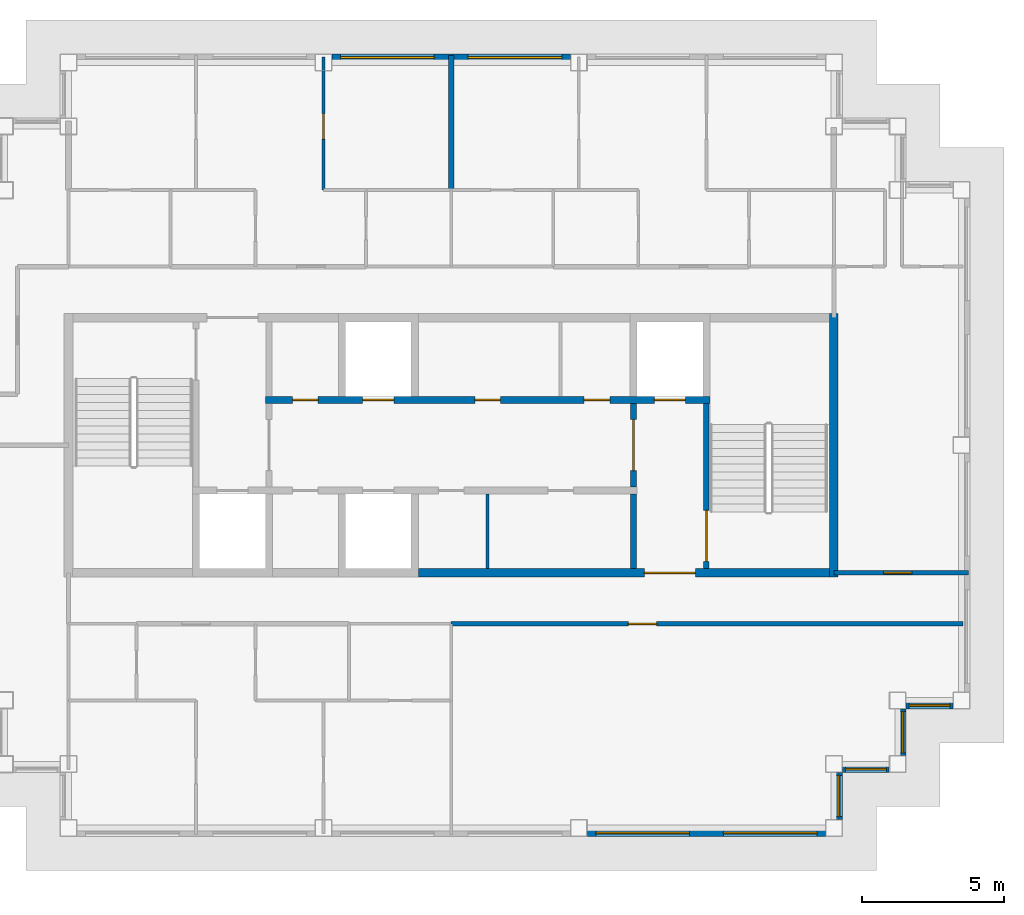
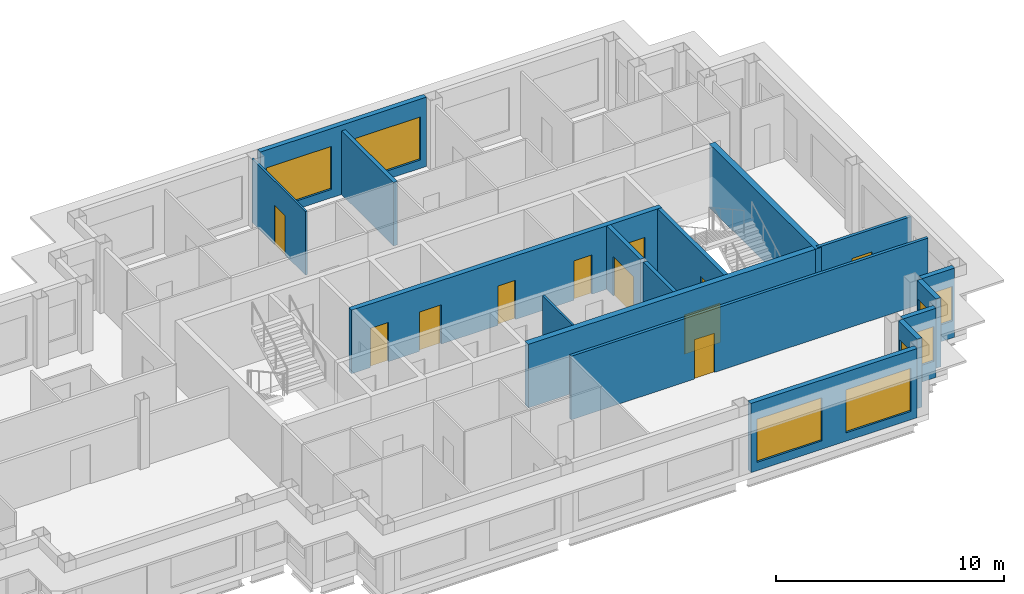
# One storey, part 5 of 12: 17 walls, 11 doors, 8 windows, 19 openings.
"""IFC4 building model written with IfcOpenShell, lengths in metres."""

from ifc_helpers import new_model, si_unit, direction, frame, frame_2d, origin, place, context, subcontext, project, spatial, rectangle, extrude, material, layer, layer_set, type_object, element, fill, save


model = new_model("IFC4")

# Units and contexts
model_context = context("Model", 3, precision=1e-05, world=origin(), true_north=direction((0.0, 1.0)))
body_context = subcontext(model_context, "Body", "Model", "MODEL_VIEW")
ifc_project = project(units=[si_unit("LENGTHUNIT", "METRE"), si_unit("AREAUNIT", "SQUARE_METRE"), si_unit("VOLUMEUNIT", "CUBIC_METRE"), si_unit("PLANEANGLEUNIT", "RADIAN"), si_unit("MASSUNIT", "GRAM", prefix="KILO")], contexts=[model_context])

# Site, building, storey
site_placement = place(None, origin())
site = spatial("IfcSite", under=ifc_project, at=site_placement, CompositionType="ELEMENT")
building_placement = place(site_placement, origin())
building = spatial("IfcBuilding", under=site, at=building_placement, Name="Caravel Reach Hotel and Residences", CompositionType="ELEMENT")
storey_placement = place(building_placement, frame((0.0, 0.0, 241.60009765625)))
storey = spatial("IfcBuildingStorey", under=building, at=storey_placement, Name="L61", CompositionType="ELEMENT", Elevation=241.60009765625)

# Wall
ifc_material_1 = material(Name="Autoclaved aerated block wall")
ifc_layer_1 = layer(ifc_material_1, 0.199951171875)
ifc_layer_set_1 = layer_set([ifc_layer_1], Name="Compartment wall 200 mm EI 120")
wall_type_1 = type_object("IfcWallType", Name="Compartment wall 200 mm EI 120", PredefinedType="PARTITIONING", material=ifc_layer_set_1)
wall_1_placement = place(storey_placement, frame((37.928466796875, 22.64990234375, 0.0), z_axis=(0.0, 0.0, 1.0), x_axis=(0.0, 1.0, 0.0)))
element("IfcWall", 1, at=wall_1_placement, inside=storey, type_object=wall_type_1, Name="L61 store partition", PredefinedType="PARTITIONING", context=body_context, shape_type="SweptSolid", body=[
    extrude(rectangle(XDim=2.625, YDim=0.199951171875, at=frame_2d((1.3125, 0.0))), origin(), (0.0, 0.0, 1.0), 3.39990234375),
])

# Wall, opening, door
ifc_material_2 = material(Name="Concrete C60", Category="concrete")
ifc_layer_2 = layer(ifc_material_2, 0.300048828125)
ifc_layer_set_2 = layer_set([ifc_layer_2], Name="Core wall 300 mm EI 120")
wall_type_2 = type_object("IfcWallType", Name="Core wall 300 mm EI 120", PredefinedType="SHEAR", material=ifc_layer_set_2)
wall_2_placement = place(storey_placement, frame((30.33935546875, 22.5, 0.0), z_axis=(0.0, 0.0, 1.0), x_axis=(1.0, 0.0, 0.0)))
wall_2 = element("IfcWall", 2, at=wall_2_placement, inside=storey, type_object=wall_type_2, Name="L61 core wall S3", PredefinedType="SHEAR", context=body_context, shape_type="SweptSolid", body=[
    extrude(rectangle(XDim=14.5107421875, YDim=0.300048828125, at=frame_2d((7.25537109375, 0.0))), origin(), (0.0, 0.0, 1.0), 3.39990234375),
])
opening_1_placement = place(wall_2_placement, frame((7.97509765625, 0.0, 0.0)))
opening_1 = element("IfcOpeningElement", 3, at=opening_1_placement, cuts=wall_2, Name="Opening D61-016", PredefinedType="OPENING", context=body_context, shape_type="SweptSolid", body=[
    extrude(rectangle(XDim=1.800048828125, YDim=2.10009765625, at=frame_2d((0.89990234375, 1.050048828125))), frame((0.0, 0.159912109375, 0.0), z_axis=(0.0, -1.0, 0.0), x_axis=(1.0, 0.0, 0.0)), (0.0, 0.0, 1.0), 0.320068359375),
])
ifc_material_3 = material(Name="Steel fire door leaf", Category="steel")
door_type_1 = type_object("IfcDoorType", Name="Fire lobby door pair 1800 x 2100 EI 90", OperationType="DOUBLE_DOOR_SINGLE_SWING", PredefinedType="DOOR", material=ifc_material_3)
door_1_placement = place(opening_1_placement, origin())
door_1 = element("IfcDoor", 4, at=door_1_placement, inside=storey, type_object=door_type_1, Name="lobby S door pair to corridor", OperationType="DOUBLE_DOOR_SINGLE_SWING", OverallHeight=2.10009765625, OverallWidth=1.800048828125, PredefinedType="DOOR", context=body_context, shape_type="SweptSolid", body=[
    extrude(rectangle(XDim=1.800048828125, YDim=2.10009765625, at=frame_2d((0.89990234375, 1.050048828125))), frame((0.0, 0.02490234375, 0.0), z_axis=(0.0, -1.0, 0.0), x_axis=(1.0, 0.0, 0.0)), (0.0, 0.0, 1.0), 0.050048828125),
])
fill(opening_1, door_1)

# Wall
wall_3_placement = place(storey_placement, frame((45.0, 22.35009765625, 0.0), z_axis=(0.0, 0.0, 1.0), x_axis=(0.0, 1.0, 0.0)))
element("IfcWall", 5, at=wall_3_placement, inside=storey, type_object=wall_type_2, Name="L61 core wall E", PredefinedType="SHEAR", context=body_context, shape_type="SweptSolid", body=[
    extrude(rectangle(XDim=9.2998046875, YDim=0.300048828125, at=frame_2d((4.64990234375, 0.0))), origin(), (0.0, 0.0, 1.0), 3.39990234375),
])

# Wall, opening, door
ifc_material_4 = material(Name="Gypsum board on steel stud, fire-rated", Category="steel")
ifc_layer_3 = layer(ifc_material_4, 0.14990234375)
ifc_layer_set_3 = layer_set([ifc_layer_3], Name="Corridor wall 150 mm EI 60")
wall_type_3 = type_object("IfcWallType", Name="Corridor wall 150 mm EI 60", PredefinedType="PARTITIONING", material=ifc_layer_set_3)
wall_4_placement = place(storey_placement, frame((31.5, 20.699951171875, 0.0), z_axis=(0.0, 0.0, 1.0), x_axis=(1.0, 0.0, 0.0)))
wall_4 = element("IfcWall", 6, at=wall_4_placement, inside=storey, type_object=wall_type_3, Name="L61 wall w003", PredefinedType="PARTITIONING", context=body_context, shape_type="SweptSolid", body=[
    extrude(rectangle(XDim=18.050048828125, YDim=0.14990234375, at=frame_2d((9.02490234375, 0.0))), origin(), (0.0, 0.0, 1.0), 3.39990234375),
])
opening_2_placement = place(wall_4_placement, frame((6.25, 0.0, 0.0)))
opening_2 = element("IfcOpeningElement", 7, at=opening_2_placement, cuts=wall_4, Name="Opening D61-039", PredefinedType="OPENING", context=body_context, shape_type="SweptSolid", body=[
    extrude(rectangle(XDim=1.0, YDim=2.10009765625, at=frame_2d((0.5, 1.050048828125))), frame((0.0, 0.0849609375, 0.0), z_axis=(0.0, -1.0, 0.0), x_axis=(1.0, 0.0, 0.0)), (0.0, 0.0, 1.0), 0.169921875),
])
ifc_material_5 = material(Name="Steel fire door leaf", Category="steel")
door_type_2 = type_object("IfcDoorType", Name="Fire door 1000 x 2100 EI 60", OperationType="SINGLE_SWING_LEFT", PredefinedType="DOOR", material=ifc_material_5)
door_2_placement = place(opening_2_placement, origin())
door_2 = element("IfcDoor", 8, at=door_2_placement, inside=storey, type_object=door_type_2, Name="door D61-039", OperationType="SINGLE_SWING_RIGHT", OverallHeight=2.10009765625, OverallWidth=1.0, PredefinedType="DOOR", context=body_context, shape_type="SweptSolid", body=[
    extrude(rectangle(XDim=1.0, YDim=2.10009765625, at=frame_2d((0.5, 1.050048828125))), frame((0.0, 0.02490234375, 0.0), z_axis=(0.0, -1.0, 0.0), x_axis=(1.0, 0.0, 0.0)), (0.0, 0.0, 1.0), 0.050048828125),
])
fill(opening_2, door_2)

wall_5_placement = place(storey_placement, frame((45.0, 22.5, 0.0), z_axis=(0.0, 0.0, 1.0), x_axis=(1.0, 0.0, 0.0)))
wall_5 = element("IfcWall", 9, at=wall_5_placement, inside=storey, type_object=wall_type_3, Name="L61 wall w005", PredefinedType="PARTITIONING", context=body_context, shape_type="SweptSolid", body=[
    extrude(rectangle(XDim=4.739990234375, YDim=0.14990234375, at=frame_2d((2.3701171875, 0.0))), origin(), (0.0, 0.0, 1.0), 3.39990234375),
])
opening_3_placement = place(wall_5_placement, frame((1.75, 0.0, 0.0)))
opening_3 = element("IfcOpeningElement", 10, at=opening_3_placement, cuts=wall_5, Name="Opening D61-041", PredefinedType="OPENING", context=body_context, shape_type="SweptSolid", body=[
    extrude(rectangle(XDim=1.0, YDim=2.199951171875, at=frame_2d((0.5, 1.10009765625))), frame((0.0, 0.0849609375, 0.0), z_axis=(0.0, -1.0, 0.0), x_axis=(1.0, 0.0, 0.0)), (0.0, 0.0, 1.0), 0.169921875),
])
ifc_material_6 = material(Name="Steel fire door leaf", Category="steel")
door_type_3 = type_object("IfcDoorType", Name="Flat entrance door 1000 x 2200 EI 60", OperationType="SINGLE_SWING_LEFT", PredefinedType="DOOR", material=ifc_material_6)
door_3_placement = place(opening_3_placement, origin())
door_3 = element("IfcDoor", 11, at=door_3_placement, inside=storey, type_object=door_type_3, Name="door D61-041", OperationType="SINGLE_SWING_RIGHT", OverallHeight=2.199951171875, OverallWidth=1.0, PredefinedType="DOOR", context=body_context, shape_type="SweptSolid", body=[
    extrude(rectangle(XDim=1.0, YDim=2.199951171875, at=frame_2d((0.5, 1.10009765625))), frame((0.0, 0.02490234375, 0.0), z_axis=(0.0, -1.0, 0.0), x_axis=(1.0, 0.0, 0.0)), (0.0, 0.0, 1.0), 0.050048828125),
])
fill(opening_3, door_3)

# Wall, openings, windows
ifc_material_7 = material(Name="Insulated rainscreen wall, aluminium cladding", Category="aluminium")
ifc_layer_4 = layer(ifc_material_7, 0.25)
ifc_layer_set_4 = layer_set([ifc_layer_4], Name="EW1 Tower rainscreen wall")
wall_type_4 = type_object("IfcWallType", Name="EW1 Tower rainscreen wall", PredefinedType="SOLIDWALL", material=ifc_layer_set_4)
wall_6_placement = place(storey_placement, frame((36.300048828125, 13.324951171875, 0.0), z_axis=(0.0, 0.0, 1.0), x_axis=(1.0, 0.0, 0.0)))
wall_6 = element("IfcWall", 12, at=wall_6_placement, inside=storey, type_object=wall_type_4, Name="External wall L61 S4.3", PredefinedType="SOLIDWALL", context=body_context, shape_type="SweptSolid", body=[
    extrude(rectangle(XDim=8.39990234375, YDim=0.25, at=frame_2d((4.199951171875, 0.0))), origin(), (0.0, 0.0, 1.0), 3.699951171875),
])
opening_4_placement = place(wall_6_placement, frame((0.300048828125, 0.0, 0.449951171875)))
opening_4 = element("IfcOpeningElement", 13, at=opening_4_placement, cuts=wall_6, Name="Opening WN15", PredefinedType="OPENING", context=body_context, shape_type="SweptSolid", body=[
    extrude(rectangle(XDim=3.300048828125, YDim=2.300048828125, at=frame_2d((1.64990234375, 1.14990234375))), frame((0.0, 0.135009765625, 0.0), z_axis=(0.0, -1.0, 0.0), x_axis=(1.0, 0.0, 0.0)), (0.0, 0.0, 1.0), 0.27001953125),
])
opening_5_placement = place(wall_6_placement, frame((4.800048828125, 0.0, 0.449951171875)))
opening_5 = element("IfcOpeningElement", 14, at=opening_5_placement, cuts=wall_6, Name="Opening WN15", PredefinedType="OPENING", context=body_context, shape_type="SweptSolid", body=[
    extrude(rectangle(XDim=3.300048828125, YDim=2.300048828125, at=frame_2d((1.64990234375, 1.14990234375))), frame((0.0, 0.135009765625, 0.0), z_axis=(0.0, -1.0, 0.0), x_axis=(1.0, 0.0, 0.0)), (0.0, 0.0, 1.0), 0.27001953125),
])
ifc_material_8 = material(Name="Dark low-e glazing in black aluminium frame", Category="aluminium")
window_type_1 = type_object("IfcWindowType", Name="Residence living window 3300 x 2300", PartitioningType="SINGLE_PANEL", PredefinedType="WINDOW", material=ifc_material_8)
window_1_placement = place(opening_4_placement, origin())
window_1 = element("IfcWindow", 15, at=window_1_placement, inside=storey, type_object=window_type_1, Name="Window L61 S4.3.1", OverallHeight=2.300048828125, OverallWidth=3.300048828125, PartitioningType="SINGLE_PANEL", PredefinedType="WINDOW", context=body_context, shape_type="SweptSolid", body=[
    extrude(rectangle(XDim=3.300048828125, YDim=2.300048828125, at=frame_2d((1.64990234375, 1.14990234375))), frame((0.0, 0.030029296875, 0.0), z_axis=(0.0, -1.0, 0.0), x_axis=(1.0, 0.0, 0.0)), (0.0, 0.0, 1.0), 0.06005859375),
])
fill(opening_4, window_1)
window_2_placement = place(opening_5_placement, origin())
window_2 = element("IfcWindow", 16, at=window_2_placement, inside=storey, type_object=window_type_1, Name="Window L61 S4.3.2", OverallHeight=2.300048828125, OverallWidth=3.300048828125, PartitioningType="SINGLE_PANEL", PredefinedType="WINDOW", context=body_context, shape_type="SweptSolid", body=[
    extrude(rectangle(XDim=3.300048828125, YDim=2.300048828125, at=frame_2d((1.64990234375, 1.14990234375))), frame((0.0, 0.030029296875, 0.0), z_axis=(0.0, -1.0, 0.0), x_axis=(1.0, 0.0, 0.0)), (0.0, 0.0, 1.0), 0.06005859375),
])
fill(opening_5, window_2)

# Wall, opening, window
wall_7_placement = place(storey_placement, frame((45.175048828125, 13.800048828125, 0.0), z_axis=(0.0, 0.0, 1.0), x_axis=(0.0, 1.0, 0.0)))
wall_7 = element("IfcWall", 17, at=wall_7_placement, inside=storey, type_object=wall_type_4, Name="External wall L61 E5.1", PredefinedType="SOLIDWALL", context=body_context, shape_type="SweptSolid", body=[
    extrude(rectangle(XDim=1.64990234375, YDim=0.25, at=frame_2d((0.824951171875, 0.0))), origin(), (0.0, 0.0, 1.0), 3.699951171875),
])
opening_6_placement = place(wall_7_placement, frame((0.10009765625, 0.0, 0.89990234375)))
opening_6 = element("IfcOpeningElement", 18, at=opening_6_placement, cuts=wall_7, Name="Opening WN25", PredefinedType="OPENING", context=body_context, shape_type="SweptSolid", body=[
    extrude(rectangle(XDim=1.449951171875, YDim=1.85009765625, at=frame_2d((0.72509765625, 0.925048828125))), frame((0.0, 0.135009765625, 0.0), z_axis=(0.0, -1.0, 0.0), x_axis=(1.0, 0.0, 0.0)), (0.0, 0.0, 1.0), 0.27001953125),
])
ifc_material_9 = material(Name="Dark low-e glazing in black aluminium frame", Category="aluminium")
window_type_2 = type_object("IfcWindowType", Name="Residence bedroom window 1450 x 1850", PartitioningType="SINGLE_PANEL", PredefinedType="WINDOW", material=ifc_material_9)
window_3_placement = place(opening_6_placement, origin())
window_3 = element("IfcWindow", 19, at=window_3_placement, inside=storey, type_object=window_type_2, Name="Window L61 E5.1.1", OverallHeight=1.85009765625, OverallWidth=1.449951171875, PartitioningType="SINGLE_PANEL", PredefinedType="WINDOW", context=body_context, shape_type="SweptSolid", body=[
    extrude(rectangle(XDim=1.449951171875, YDim=1.85009765625, at=frame_2d((0.72509765625, 0.925048828125))), frame((0.0, 0.030029296875, 0.0), z_axis=(0.0, -1.0, 0.0), x_axis=(1.0, 0.0, 0.0)), (0.0, 0.0, 1.0), 0.06005859375),
])
fill(opening_6, window_3)

wall_8_placement = place(storey_placement, frame((45.300048828125, 15.574951171875, 0.0), z_axis=(0.0, 0.0, 1.0), x_axis=(1.0, 0.0, 0.0)))
wall_8 = element("IfcWall", 20, at=wall_8_placement, inside=storey, type_object=wall_type_4, Name="External wall L61 S6.1", PredefinedType="SOLIDWALL", context=body_context, shape_type="SweptSolid", body=[
    extrude(rectangle(XDim=1.64990234375, YDim=0.25, at=frame_2d((0.824951171875, 0.0))), origin(), (0.0, 0.0, 1.0), 3.699951171875),
])
opening_7_placement = place(wall_8_placement, frame((0.10009765625, 0.0, 0.89990234375)))
opening_7 = element("IfcOpeningElement", 21, at=opening_7_placement, cuts=wall_8, Name="Opening WN25", PredefinedType="OPENING", context=body_context, shape_type="SweptSolid", body=[
    extrude(rectangle(XDim=1.449951171875, YDim=1.85009765625, at=frame_2d((0.72509765625, 0.925048828125))), frame((0.0, 0.135009765625, 0.0), z_axis=(0.0, -1.0, 0.0), x_axis=(1.0, 0.0, 0.0)), (0.0, 0.0, 1.0), 0.27001953125),
])
window_4_placement = place(opening_7_placement, origin())
window_4 = element("IfcWindow", 22, at=window_4_placement, inside=storey, type_object=window_type_2, Name="Window L61 S6.1.1", OverallHeight=1.85009765625, OverallWidth=1.449951171875, PartitioningType="SINGLE_PANEL", PredefinedType="WINDOW", context=body_context, shape_type="SweptSolid", body=[
    extrude(rectangle(XDim=1.449951171875, YDim=1.85009765625, at=frame_2d((0.72509765625, 0.925048828125))), frame((0.0, 0.030029296875, 0.0), z_axis=(0.0, -1.0, 0.0), x_axis=(1.0, 0.0, 0.0)), (0.0, 0.0, 1.0), 0.06005859375),
])
fill(opening_7, window_4)

wall_9_placement = place(storey_placement, frame((47.425048828125, 16.050048828125, 0.0), z_axis=(0.0, 0.0, 1.0), x_axis=(0.0, 1.0, 0.0)))
wall_9 = element("IfcWall", 23, at=wall_9_placement, inside=storey, type_object=wall_type_4, Name="External wall L61 E7.1", PredefinedType="SOLIDWALL", context=body_context, shape_type="SweptSolid", body=[
    extrude(rectangle(XDim=1.64990234375, YDim=0.25, at=frame_2d((0.824951171875, 0.0))), origin(), (0.0, 0.0, 1.0), 3.699951171875),
])
opening_8_placement = place(wall_9_placement, frame((0.10009765625, 0.0, 0.89990234375)))
opening_8 = element("IfcOpeningElement", 24, at=opening_8_placement, cuts=wall_9, Name="Opening WN25", PredefinedType="OPENING", context=body_context, shape_type="SweptSolid", body=[
    extrude(rectangle(XDim=1.449951171875, YDim=1.85009765625, at=frame_2d((0.72509765625, 0.925048828125))), frame((0.0, 0.135009765625, 0.0), z_axis=(0.0, -1.0, 0.0), x_axis=(1.0, 0.0, 0.0)), (0.0, 0.0, 1.0), 0.27001953125),
])
window_5_placement = place(opening_8_placement, origin())
window_5 = element("IfcWindow", 25, at=window_5_placement, inside=storey, type_object=window_type_2, Name="Window L61 E7.1.1", OverallHeight=1.85009765625, OverallWidth=1.449951171875, PartitioningType="SINGLE_PANEL", PredefinedType="WINDOW", context=body_context, shape_type="SweptSolid", body=[
    extrude(rectangle(XDim=1.449951171875, YDim=1.85009765625, at=frame_2d((0.72509765625, 0.925048828125))), frame((0.0, 0.030029296875, 0.0), z_axis=(0.0, -1.0, 0.0), x_axis=(1.0, 0.0, 0.0)), (0.0, 0.0, 1.0), 0.06005859375),
])
fill(opening_8, window_5)

wall_10_placement = place(storey_placement, frame((47.550048828125, 17.824951171875, 0.0), z_axis=(0.0, 0.0, 1.0), x_axis=(1.0, 0.0, 0.0)))
wall_10 = element("IfcWall", 26, at=wall_10_placement, inside=storey, type_object=wall_type_4, Name="External wall L61 S8.1", PredefinedType="SOLIDWALL", context=body_context, shape_type="SweptSolid", body=[
    extrude(rectangle(XDim=1.64990234375, YDim=0.25, at=frame_2d((0.824951171875, 0.0))), origin(), (0.0, 0.0, 1.0), 3.699951171875),
])
opening_9_placement = place(wall_10_placement, frame((0.10009765625, 0.0, 0.89990234375)))
opening_9 = element("IfcOpeningElement", 27, at=opening_9_placement, cuts=wall_10, Name="Opening WN25", PredefinedType="OPENING", context=body_context, shape_type="SweptSolid", body=[
    extrude(rectangle(XDim=1.449951171875, YDim=1.85009765625, at=frame_2d((0.72509765625, 0.925048828125))), frame((0.0, 0.135009765625, 0.0), z_axis=(0.0, -1.0, 0.0), x_axis=(1.0, 0.0, 0.0)), (0.0, 0.0, 1.0), 0.27001953125),
])
window_6_placement = place(opening_9_placement, origin())
window_6 = element("IfcWindow", 28, at=window_6_placement, inside=storey, type_object=window_type_2, Name="Window L61 S8.1.1", OverallHeight=1.85009765625, OverallWidth=1.449951171875, PartitioningType="SINGLE_PANEL", PredefinedType="WINDOW", context=body_context, shape_type="SweptSolid", body=[
    extrude(rectangle(XDim=1.449951171875, YDim=1.85009765625, at=frame_2d((0.72509765625, 0.925048828125))), frame((0.0, 0.030029296875, 0.0), z_axis=(0.0, -1.0, 0.0), x_axis=(1.0, 0.0, 0.0)), (0.0, 0.0, 1.0), 0.06005859375),
])
fill(opening_9, window_6)

# Wall, openings, windows
wall_11_placement = place(storey_placement, frame((35.699951171875, 40.675048828125, 0.0), z_axis=(0.0, 0.0, 1.0), x_axis=(-1.0, 0.0, 0.0)))
wall_11 = element("IfcWall", 29, at=wall_11_placement, inside=storey, type_object=wall_type_4, Name="External wall L61 N14.2", PredefinedType="SOLIDWALL", context=body_context, shape_type="SweptSolid", body=[
    extrude(rectangle(XDim=8.39990234375, YDim=0.25, at=frame_2d((4.199951171875, 0.0))), origin(), (0.0, 0.0, 1.0), 3.699951171875),
])
opening_10_placement = place(wall_11_placement, frame((0.300048828125, 0.0, 0.449951171875)))
opening_10 = element("IfcOpeningElement", 30, at=opening_10_placement, cuts=wall_11, Name="Opening WN15", PredefinedType="OPENING", context=body_context, shape_type="SweptSolid", body=[
    extrude(rectangle(XDim=3.300048828125, YDim=2.300048828125, at=frame_2d((1.64990234375, 1.14990234375))), frame((0.0, 0.135009765625, 0.0), z_axis=(0.0, -1.0, 0.0), x_axis=(1.0, 0.0, 0.0)), (0.0, 0.0, 1.0), 0.27001953125),
])
opening_11_placement = place(wall_11_placement, frame((4.800048828125, 0.0, 0.449951171875)))
opening_11 = element("IfcOpeningElement", 31, at=opening_11_placement, cuts=wall_11, Name="Opening WN15", PredefinedType="OPENING", context=body_context, shape_type="SweptSolid", body=[
    extrude(rectangle(XDim=3.300048828125, YDim=2.300048828125, at=frame_2d((1.64990234375, 1.14990234375))), frame((0.0, 0.135009765625, 0.0), z_axis=(0.0, -1.0, 0.0), x_axis=(1.0, 0.0, 0.0)), (0.0, 0.0, 1.0), 0.27001953125),
])
window_7_placement = place(opening_10_placement, origin())
window_7 = element("IfcWindow", 32, at=window_7_placement, inside=storey, type_object=window_type_1, Name="Window L61 N14.2.1", OverallHeight=2.300048828125, OverallWidth=3.300048828125, PartitioningType="SINGLE_PANEL", PredefinedType="WINDOW", context=body_context, shape_type="SweptSolid", body=[
    extrude(rectangle(XDim=3.300048828125, YDim=2.300048828125, at=frame_2d((1.64990234375, 1.14990234375))), frame((0.0, 0.030029296875, 0.0), z_axis=(0.0, -1.0, 0.0), x_axis=(1.0, 0.0, 0.0)), (0.0, 0.0, 1.0), 0.06005859375),
])
fill(opening_10, window_7)
window_8_placement = place(opening_11_placement, origin())
window_8 = element("IfcWindow", 33, at=window_8_placement, inside=storey, type_object=window_type_1, Name="Window L61 N14.2.2", OverallHeight=2.300048828125, OverallWidth=3.300048828125, PartitioningType="SINGLE_PANEL", PredefinedType="WINDOW", context=body_context, shape_type="SweptSolid", body=[
    extrude(rectangle(XDim=3.300048828125, YDim=2.300048828125, at=frame_2d((1.64990234375, 1.14990234375))), frame((0.0, 0.030029296875, 0.0), z_axis=(0.0, -1.0, 0.0), x_axis=(1.0, 0.0, 0.0)), (0.0, 0.0, 1.0), 0.06005859375),
])
fill(opening_11, window_8)

# Wall, opening, door
ifc_material_10 = material(Name="Autoclaved aerated block wall")
ifc_layer_5 = layer(ifc_material_10, 0.199951171875)
ifc_layer_set_5 = layer_set([ifc_layer_5], Name="Fire lobby wall 200 mm EI 120")
wall_type_5 = type_object("IfcWallType", Name="Fire lobby wall 200 mm EI 120", PredefinedType="PARTITIONING", material=ifc_layer_set_5)
wall_12_placement = place(storey_placement, frame((37.928466796875, 25.52490234375, 0.0), z_axis=(0.0, 0.0, 1.0), x_axis=(0.0, 1.0, 0.0)))
wall_12 = element("IfcWall", 34, at=wall_12_placement, inside=storey, type_object=wall_type_5, Name="L61 lobby E wall", PredefinedType="PARTITIONING", context=body_context, shape_type="SweptSolid", body=[
    extrude(rectangle(XDim=2.9501953125, YDim=0.199951171875, at=frame_2d((1.47509765625, 0.0))), origin(), (0.0, 0.0, 1.0), 3.39990234375),
])
opening_12_placement = place(wall_12_placement, frame((0.574951171875, 0.0, 0.0)))
opening_12 = element("IfcOpeningElement", 35, at=opening_12_placement, cuts=wall_12, Name="Opening D61-014", PredefinedType="OPENING", context=body_context, shape_type="SweptSolid", body=[
    extrude(rectangle(XDim=1.800048828125, YDim=2.10009765625, at=frame_2d((0.89990234375, 1.050048828125))), frame((0.0, 0.10986328125, 0.0), z_axis=(0.0, -1.0, 0.0), x_axis=(1.0, 0.0, 0.0)), (0.0, 0.0, 1.0), 0.219970703125),
])
door_4_placement = place(opening_12_placement, origin())
door_4 = element("IfcDoor", 36, at=door_4_placement, inside=storey, type_object=door_type_1, Name="lobby E door pair", OperationType="DOUBLE_DOOR_SINGLE_SWING", OverallHeight=2.10009765625, OverallWidth=1.800048828125, PredefinedType="DOOR", context=body_context, shape_type="SweptSolid", body=[
    extrude(rectangle(XDim=1.800048828125, YDim=2.10009765625, at=frame_2d((0.89990234375, 1.050048828125))), frame((0.0, 0.02490234375, 0.0), z_axis=(0.0, -1.0, 0.0), x_axis=(1.0, 0.0, 0.0)), (0.0, 0.0, 1.0), 0.050048828125),
])
fill(opening_12, door_4)

# Wall
ifc_material_11 = material(Name="Gypsum board on steel stud", Category="steel")
ifc_layer_6 = layer(ifc_material_11, 0.10009765625)
ifc_layer_set_6 = layer_set([ifc_layer_6], Name="Partition 100 mm")
wall_type_6 = type_object("IfcWallType", Name="Partition 100 mm", PredefinedType="PARTITIONING", material=ifc_layer_set_6)
wall_13_placement = place(storey_placement, frame((32.78564453125, 22.64990234375, 0.0), z_axis=(0.0, 0.0, 1.0), x_axis=(0.0, 1.0, 0.0)))
element("IfcWall", 37, at=wall_13_placement, inside=storey, type_object=wall_type_6, Name="L61 store partition", PredefinedType="PARTITIONING", context=body_context, shape_type="SweptSolid", body=[
    extrude(rectangle(XDim=2.625, YDim=0.10009765625, at=frame_2d((1.3125, 0.0))), origin(), (0.0, 0.0, 1.0), 3.39990234375),
])

# Wall, opening, door
wall_14_placement = place(storey_placement, frame((27.0, 36.0, 0.0), z_axis=(0.0, 0.0, 1.0), x_axis=(0.0, 1.0, 0.0)))
wall_14 = element("IfcWall", 38, at=wall_14_placement, inside=storey, type_object=wall_type_6, Name="L61 wall w039", PredefinedType="PARTITIONING", context=body_context, shape_type="SweptSolid", body=[
    extrude(rectangle(XDim=4.68994140625, YDim=0.10009765625, at=frame_2d((2.344970703125, 0.0))), origin(), (0.0, 0.0, 1.0), 3.39990234375),
])
opening_13_placement = place(wall_14_placement, frame((1.800048828125, 0.0, 0.0)))
opening_13 = element("IfcOpeningElement", 39, at=opening_13_placement, cuts=wall_14, Name="Opening D61-022", PredefinedType="OPENING", context=body_context, shape_type="SweptSolid", body=[
    extrude(rectangle(XDim=0.89990234375, YDim=2.10009765625, at=frame_2d((0.449951171875, 1.050048828125))), frame((0.0, 0.06005859375, 0.0), z_axis=(0.0, -1.0, 0.0), x_axis=(1.0, 0.0, 0.0)), (0.0, 0.0, 1.0), 0.1201171875),
])
ifc_material_12 = material(Name="Timber and steel door leaf", Category="steel")
door_type_4 = type_object("IfcDoorType", Name="Door 900 x 2100 timber", OperationType="SINGLE_SWING_LEFT", PredefinedType="DOOR", material=ifc_material_12)
door_5_placement = place(opening_13_placement, origin())
door_5 = element("IfcDoor", 40, at=door_5_placement, inside=storey, type_object=door_type_4, Name="door D61-022", OperationType="SINGLE_SWING_LEFT", OverallHeight=2.10009765625, OverallWidth=0.89990234375, PredefinedType="DOOR", context=body_context, shape_type="SweptSolid", body=[
    extrude(rectangle(XDim=0.89990234375, YDim=2.10009765625, at=frame_2d((0.449951171875, 1.050048828125))), frame((0.0, 0.02490234375, 0.0), z_axis=(0.0, -1.0, 0.0), x_axis=(1.0, 0.0, 0.0)), (0.0, 0.0, 1.0), 0.050048828125),
])
fill(opening_13, door_5)

# Wall
ifc_material_13 = material(Name="Autoclaved aerated block wall")
ifc_layer_7 = layer(ifc_material_13, 0.199951171875)
ifc_layer_set_7 = layer_set([ifc_layer_7], Name="Party wall 200 mm EI 60")
wall_type_7 = type_object("IfcWallType", Name="Party wall 200 mm EI 60", PredefinedType="PARTITIONING", material=ifc_layer_set_7)
wall_15_placement = place(storey_placement, frame((31.5, 36.0, 0.0), z_axis=(0.0, 0.0, 1.0), x_axis=(0.0, 1.0, 0.0)))
element("IfcWall", 41, at=wall_15_placement, inside=storey, type_object=wall_type_7, Name="L61 wall w049", PredefinedType="PARTITIONING", context=body_context, shape_type="SweptSolid", body=[
    extrude(rectangle(XDim=4.739990234375, YDim=0.199951171875, at=frame_2d((2.3701171875, 0.0))), origin(), (0.0, 0.0, 1.0), 3.39990234375),
])

# Wall, openings, doors
ifc_material_14 = material(Name="Concrete C60", Category="concrete")
ifc_layer_8 = layer(ifc_material_14, 0.25)
ifc_layer_set_8 = layer_set([ifc_layer_8], Name="Shaft wall 250 mm EI 120")
wall_type_8 = type_object("IfcWallType", Name="Shaft wall 250 mm EI 120", PredefinedType="SHEAR", material=ifc_layer_set_8)
wall_16_placement = place(storey_placement, frame((24.946533203125, 28.60009765625, 0.0), z_axis=(0.0, 0.0, 1.0), x_axis=(1.0, 0.0, 0.0)))
wall_16 = element("IfcWall", 42, at=wall_16_placement, inside=storey, type_object=wall_type_8, Name="L61 lobby wall N1", PredefinedType="SHEAR", context=body_context, shape_type="SweptSolid", body=[
    extrude(rectangle(XDim=15.678466796875, YDim=0.25, at=frame_2d((7.83935546875, 0.0))), origin(), (0.0, 0.0, 1.0), 3.39990234375),
])
opening_14_placement = place(wall_16_placement, frame((3.43212890625, 0.0, 0.0)))
opening_14 = element("IfcOpeningElement", 43, at=opening_14_placement, cuts=wall_16, Name="Opening D61-002", PredefinedType="OPENING", context=body_context, shape_type="SweptSolid", body=[
    extrude(rectangle(XDim=1.10009765625, YDim=2.10009765625, at=frame_2d((0.550048828125, 1.050048828125))), frame((0.0, 0.135009765625, 0.0), z_axis=(0.0, -1.0, 0.0), x_axis=(1.0, 0.0, 0.0)), (0.0, 0.0, 1.0), 0.27001953125),
])
opening_15_placement = place(wall_16_placement, frame((13.718017578125, 0.0, 0.0)))
opening_15 = element("IfcOpeningElement", 44, at=opening_15_placement, cuts=wall_16, Name="Opening D61-004", PredefinedType="OPENING", context=body_context, shape_type="SweptSolid", body=[
    extrude(rectangle(XDim=1.10009765625, YDim=2.10009765625, at=frame_2d((0.550048828125, 1.050048828125))), frame((0.0, 0.135009765625, 0.0), z_axis=(0.0, -1.0, 0.0), x_axis=(1.0, 0.0, 0.0)), (0.0, 0.0, 1.0), 0.27001953125),
])
opening_16_placement = place(wall_16_placement, frame((0.960693359375, 0.0, 0.0)))
opening_16 = element("IfcOpeningElement", 45, at=opening_16_placement, cuts=wall_16, Name="Opening D61-008", PredefinedType="OPENING", context=body_context, shape_type="SweptSolid", body=[
    extrude(rectangle(XDim=0.89990234375, YDim=2.10009765625, at=frame_2d((0.449951171875, 1.050048828125))), frame((0.0, 0.135009765625, 0.0), z_axis=(0.0, -1.0, 0.0), x_axis=(1.0, 0.0, 0.0)), (0.0, 0.0, 1.0), 0.27001953125),
])
opening_17_placement = place(wall_16_placement, frame((7.389404296875, 0.0, 0.0)))
opening_17 = element("IfcOpeningElement", 46, at=opening_17_placement, cuts=wall_16, Name="Opening D61-009", PredefinedType="OPENING", context=body_context, shape_type="SweptSolid", body=[
    extrude(rectangle(XDim=0.89990234375, YDim=2.10009765625, at=frame_2d((0.449951171875, 1.050048828125))), frame((0.0, 0.135009765625, 0.0), z_axis=(0.0, -1.0, 0.0), x_axis=(1.0, 0.0, 0.0)), (0.0, 0.0, 1.0), 0.27001953125),
])
opening_18_placement = place(wall_16_placement, frame((11.246337890625, 0.0, 0.0)))
opening_18 = element("IfcOpeningElement", 47, at=opening_18_placement, cuts=wall_16, Name="Opening D61-010", PredefinedType="OPENING", context=body_context, shape_type="SweptSolid", body=[
    extrude(rectangle(XDim=0.89990234375, YDim=2.10009765625, at=frame_2d((0.449951171875, 1.050048828125))), frame((0.0, 0.135009765625, 0.0), z_axis=(0.0, -1.0, 0.0), x_axis=(1.0, 0.0, 0.0)), (0.0, 0.0, 1.0), 0.27001953125),
])
ifc_material_15 = material(Name="Stainless steel landing door", Category="steel")
door_type_5 = type_object("IfcDoorType", Name="Landing door LD 1100 x 2100 sliding", OperationType="DOUBLE_DOOR_SLIDING", PredefinedType="DOOR", material=ifc_material_15)
door_6_placement = place(opening_14_placement, origin())
door_6 = element("IfcDoor", 48, at=door_6_placement, inside=storey, type_object=door_type_5, Name="HP2 landing door", OperationType="DOUBLE_DOOR_SLIDING", OverallHeight=2.10009765625, OverallWidth=1.10009765625, PredefinedType="DOOR", context=body_context, shape_type="SweptSolid", body=[
    extrude(rectangle(XDim=1.10009765625, YDim=2.10009765625, at=frame_2d((0.550048828125, 1.050048828125))), frame((0.0, 0.02490234375, 0.0), z_axis=(0.0, -1.0, 0.0), x_axis=(1.0, 0.0, 0.0)), (0.0, 0.0, 1.0), 0.050048828125),
])
fill(opening_14, door_6)
door_7_placement = place(opening_15_placement, origin())
door_7 = element("IfcDoor", 49, at=door_7_placement, inside=storey, type_object=door_type_5, Name="FL2 landing door", OperationType="DOUBLE_DOOR_SLIDING", OverallHeight=2.10009765625, OverallWidth=1.10009765625, PredefinedType="DOOR", context=body_context, shape_type="SweptSolid", body=[
    extrude(rectangle(XDim=1.10009765625, YDim=2.10009765625, at=frame_2d((0.550048828125, 1.050048828125))), frame((0.0, 0.02490234375, 0.0), z_axis=(0.0, -1.0, 0.0), x_axis=(1.0, 0.0, 0.0)), (0.0, 0.0, 1.0), 0.050048828125),
])
fill(opening_15, door_7)
ifc_material_16 = material(Name="Steel fire door leaf", Category="steel")
door_type_6 = type_object("IfcDoorType", Name="Riser door 900 x 2100 EI 60", OperationType="SINGLE_SWING_LEFT", PredefinedType="DOOR", material=ifc_material_16)
door_8_placement = place(opening_16_placement, origin())
door_8 = element("IfcDoor", 50, at=door_8_placement, inside=storey, type_object=door_type_6, Name="Telecom room door", OperationType="SINGLE_SWING_LEFT", OverallHeight=2.10009765625, OverallWidth=0.89990234375, PredefinedType="DOOR", context=body_context, shape_type="SweptSolid", body=[
    extrude(rectangle(XDim=0.89990234375, YDim=2.10009765625, at=frame_2d((0.449951171875, 1.050048828125))), frame((0.0, 0.02490234375, 0.0), z_axis=(0.0, -1.0, 0.0), x_axis=(1.0, 0.0, 0.0)), (0.0, 0.0, 1.0), 0.050048828125),
])
fill(opening_16, door_8)
door_9_placement = place(opening_17_placement, origin())
door_9 = element("IfcDoor", 51, at=door_9_placement, inside=storey, type_object=door_type_6, Name="Recycling store door", OperationType="SINGLE_SWING_LEFT", OverallHeight=2.10009765625, OverallWidth=0.89990234375, PredefinedType="DOOR", context=body_context, shape_type="SweptSolid", body=[
    extrude(rectangle(XDim=0.89990234375, YDim=2.10009765625, at=frame_2d((0.449951171875, 1.050048828125))), frame((0.0, 0.02490234375, 0.0), z_axis=(0.0, -1.0, 0.0), x_axis=(1.0, 0.0, 0.0)), (0.0, 0.0, 1.0), 0.050048828125),
])
fill(opening_17, door_9)
door_10_placement = place(opening_18_placement, origin())
door_10 = element("IfcDoor", 52, at=door_10_placement, inside=storey, type_object=door_type_6, Name="Residents' store door", OperationType="SINGLE_SWING_LEFT", OverallHeight=2.10009765625, OverallWidth=0.89990234375, PredefinedType="DOOR", context=body_context, shape_type="SweptSolid", body=[
    extrude(rectangle(XDim=0.89990234375, YDim=2.10009765625, at=frame_2d((0.449951171875, 1.050048828125))), frame((0.0, 0.02490234375, 0.0), z_axis=(0.0, -1.0, 0.0), x_axis=(1.0, 0.0, 0.0)), (0.0, 0.0, 1.0), 0.050048828125),
])
fill(opening_18, door_10)

# Wall, opening, door
ifc_material_17 = material(Name="Concrete C60", Category="concrete")
ifc_layer_9 = layer(ifc_material_17, 0.199951171875)
ifc_layer_set_9 = layer_set([ifc_layer_9], Name="Stair enclosure wall 200 mm EI 120")
wall_type_9 = type_object("IfcWallType", Name="Stair enclosure wall 200 mm EI 120", PredefinedType="SHEAR", material=ifc_layer_set_9)
wall_17_placement = place(storey_placement, frame((40.5, 22.64990234375, 0.0), z_axis=(0.0, 0.0, 1.0), x_axis=(0.0, 1.0, 0.0)))
wall_17 = element("IfcWall", 53, at=wall_17_placement, inside=storey, type_object=wall_type_9, Name="L61 stair B wall", PredefinedType="SHEAR", context=body_context, shape_type="SweptSolid", body=[
    extrude(rectangle(XDim=5.8251953125, YDim=0.199951171875, at=frame_2d((2.91259765625, 0.0))), origin(), (0.0, 0.0, 1.0), 3.39990234375),
])
opening_19_placement = place(wall_17_placement, frame((0.25, 0.0, 0.0)))
opening_19 = element("IfcOpeningElement", 54, at=opening_19_placement, cuts=wall_17, Name="Opening D61-012", PredefinedType="OPENING", context=body_context, shape_type="SweptSolid", body=[
    extrude(rectangle(XDim=1.800048828125, YDim=2.10009765625, at=frame_2d((0.89990234375, 1.050048828125))), frame((0.0, 0.10986328125, 0.0), z_axis=(0.0, -1.0, 0.0), x_axis=(1.0, 0.0, 0.0)), (0.0, 0.0, 1.0), 0.219970703125),
])
ifc_material_18 = material(Name="Steel fire door leaf", Category="steel")
door_type_7 = type_object("IfcDoorType", Name="Stair door pair 1800 x 2100 EI 90", OperationType="DOUBLE_DOOR_SINGLE_SWING", PredefinedType="DOOR", material=ifc_material_18)
door_11_placement = place(opening_19_placement, origin())
door_11 = element("IfcDoor", 55, at=door_11_placement, inside=storey, type_object=door_type_7, Name="stair B door pair", OperationType="DOUBLE_DOOR_SINGLE_SWING", OverallHeight=2.10009765625, OverallWidth=1.800048828125, PredefinedType="DOOR", context=body_context, shape_type="SweptSolid", body=[
    extrude(rectangle(XDim=1.800048828125, YDim=2.10009765625, at=frame_2d((0.89990234375, 1.050048828125))), frame((0.0, 0.02490234375, 0.0), z_axis=(0.0, -1.0, 0.0), x_axis=(1.0, 0.0, 0.0)), (0.0, 0.0, 1.0), 0.050048828125),
])
fill(opening_19, door_11)

save(model, "model.ifc")
